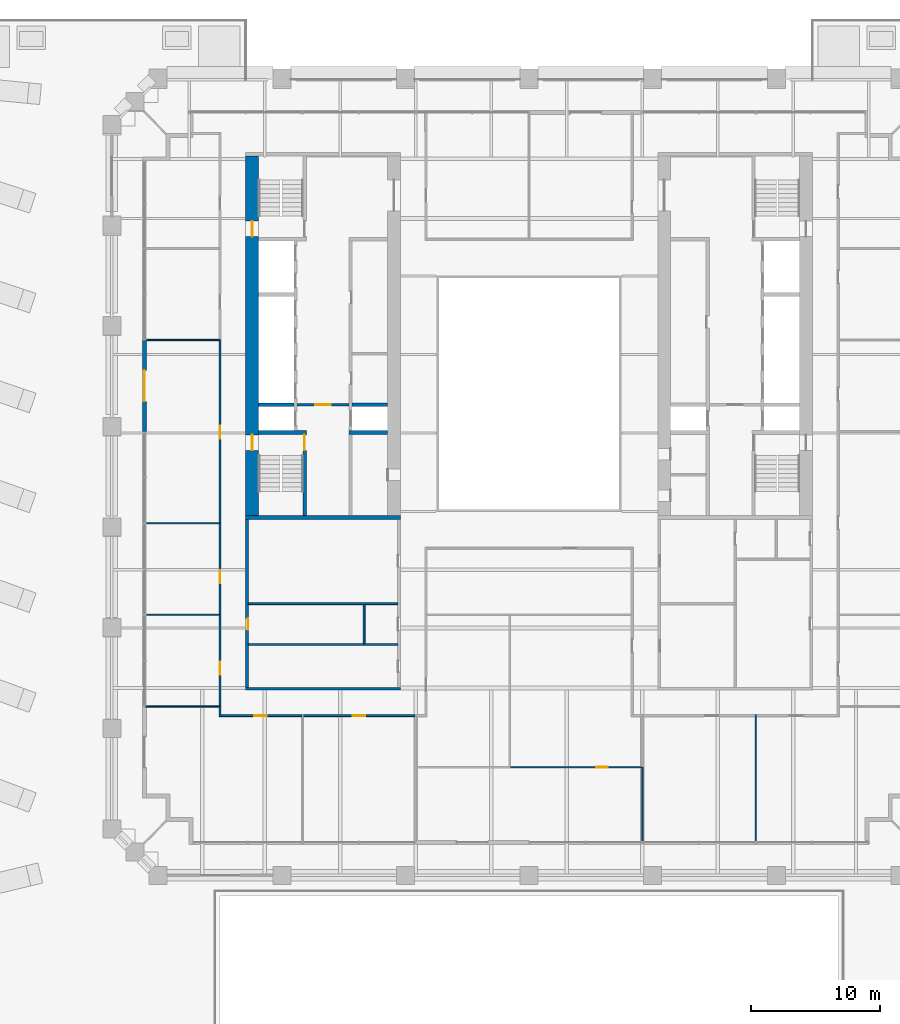
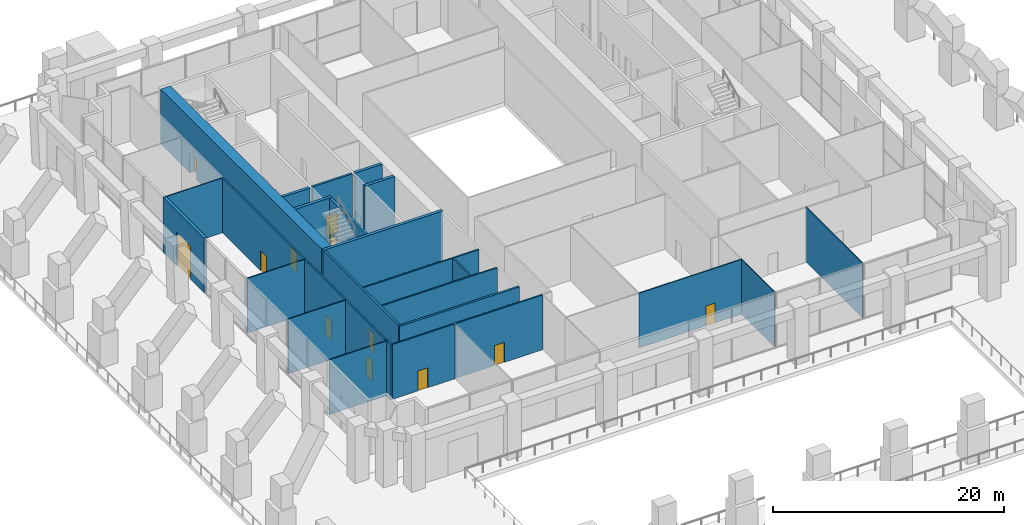
# One storey, part 12 of 20: 27 walls, 12 doors, 12 openings.
"""IFC4 building model written with IfcOpenShell, lengths in metres."""

from ifc_helpers import new_model, si_unit, direction, frame, frame_2d, origin, place, context, subcontext, project, spatial, rectangle, extrude, material, layer, layer_set, type_object, element, fill, save


model = new_model("IFC4")

# Units and contexts
model_context = context("Model", 3, precision=1e-05, world=origin(), true_north=direction((0.0, 1.0)))
body_context = subcontext(model_context, "Body", "Model", "MODEL_VIEW")
ifc_project = project(units=[si_unit("LENGTHUNIT", "METRE"), si_unit("AREAUNIT", "SQUARE_METRE"), si_unit("VOLUMEUNIT", "CUBIC_METRE"), si_unit("PLANEANGLEUNIT", "RADIAN"), si_unit("MASSUNIT", "GRAM", prefix="KILO")], contexts=[model_context])

# Site, building, storey
site_placement = place(None, origin())
site = spatial("IfcSite", under=ifc_project, at=site_placement, CompositionType="ELEMENT")
building_placement = place(site_placement, origin())
building = spatial("IfcBuilding", under=site, at=building_placement, Name="Ogive Exchange Tower", CompositionType="ELEMENT")
storey_placement = place(building_placement, frame((0.0, 0.0, 33.60009765625)))
storey = spatial("IfcBuildingStorey", under=building, at=storey_placement, Name="L06", CompositionType="ELEMENT", Elevation=33.60009765625)

# Walls
ifc_material_1 = material(Name="Gypsum board partition")
ifc_layer_1 = layer(ifc_material_1, 0.14990234375)
ifc_layer_set_1 = layer_set([ifc_layer_1], Name="Core room partition 150 gypsum")
wall_type_1 = type_object("IfcWallType", Name="Core room partition 150 gypsum", PredefinedType="PARTITIONING", material=ifc_layer_set_1)
for number, where, z_axis, x_axis, name in (
    (1, (-21.800048828125, -9.300048828125, 0.0), (0.0, 0.0, 1.0), (1.0, 0.0, 0.0), "W annex S cross wall"),
    (2, (-21.800048828125, -12.47509765625, 0.0), (0.0, 0.0, 1.0), (1.0, 0.0, 0.0), "W annex S wc strip wall 00"),
):
    element("IfcWall", number, at=place(storey_placement, frame(where, z_axis=z_axis, x_axis=x_axis)), inside=storey, type_object=wall_type_1, Name=name, PredefinedType="PARTITIONING", context=body_context, shape_type="SweptSolid", body=[
        extrude(rectangle(XDim=11.60009765625, YDim=0.14990234375, at=frame_2d((5.800048828125, 0.0))), origin(), (0.0, 0.0, 1.0), 5.7998046875),
    ])
wall_1_placement = place(storey_placement, frame((-12.800048828125, -12.39990234375, 0.0), z_axis=(0.0, 0.0, 1.0), x_axis=(0.0, 1.0, 0.0)))
element("IfcWall", 3, at=wall_1_placement, inside=storey, type_object=wall_type_1, Name="W annex S wc partition 00", PredefinedType="PARTITIONING", context=body_context, shape_type="SweptSolid", body=[
    extrude(rectangle(XDim=3.02490234375, YDim=0.14990234375, at=frame_2d((1.512451171875, 0.0))), origin(), (0.0, 0.0, 1.0), 5.7998046875),
])
ifc_material_2 = material(Name="Fire partition EI 60 150")
ifc_layer_2 = layer(ifc_material_2, 0.14990234375)
ifc_layer_set_2 = layer_set([ifc_layer_2], Name="Fire partition EI 60 150")
wall_type_2 = type_object("IfcWallType", Name="Fire partition EI 60 150", PredefinedType="PARTITIONING", material=ifc_layer_set_2)
wall_2_placement = place(storey_placement, frame((-24.0, -18.074951171875, 0.0), z_axis=(0.0, 0.0, 1.0), x_axis=(0.0, 1.0, 0.0)))
element("IfcWall", 4, at=wall_2_placement, inside=storey, type_object=wall_type_2, Name="L06-PWL-001", PredefinedType="PARTITIONING", context=body_context, shape_type="SweptSolid", body=[
    extrude(rectangle(XDim=0.784912109375, YDim=0.14990234375, at=frame_2d((0.392578125, 0.0))), origin(), (0.0, 0.0, 1.0), 5.7998046875),
])

# Wall, opening, door
wall_3_placement = place(storey_placement, frame((-24.0, -17.2900390625, 0.0), z_axis=(0.0, 0.0, 1.0), x_axis=(0.0, 1.0, 0.0)))
wall_3 = element("IfcWall", 5, at=wall_3_placement, inside=storey, type_object=wall_type_2, Name="L06-PWL-003", PredefinedType="PARTITIONING", context=body_context, shape_type="SweptSolid", body=[
    extrude(rectangle(XDim=7.169921875, YDim=0.14990234375, at=frame_2d((3.5849609375, 0.0))), origin(), (0.0, 0.0, 1.0), 5.7998046875),
])
opening_1_placement = place(wall_3_placement, frame((2.469970703125, 0.0, 0.0)))
opening_1 = element("IfcOpeningElement", 6, at=opening_1_placement, cuts=wall_3, Name="Opening L06-I18", PredefinedType="OPENING", context=body_context, shape_type="SweptSolid", body=[
    extrude(rectangle(XDim=1.0, YDim=2.10009765625, at=frame_2d((0.5, 1.050048828125))), frame((0.0, 0.0849609375, 0.0), z_axis=(0.0, -1.0, 0.0), x_axis=(1.0, 0.0, 0.0)), (0.0, 0.0, 1.0), 0.169921875),
])
ifc_material_3 = material(Name="Fire door FD 30S 1000 x 2100")
door_type_1 = type_object("IfcDoorType", Name="Fire door FD 30S 1000 x 2100", OperationType="NOTDEFINED", PredefinedType="DOOR", material=ifc_material_3)
door_1_placement = place(opening_1_placement, origin())
door_1 = element("IfcDoor", 7, at=door_1_placement, inside=storey, type_object=door_type_1, Name="L06-IDR-018", ObjectType="DT3", OperationType="SINGLE_SWING_RIGHT", OverallHeight=2.10009765625, OverallWidth=1.0, PredefinedType="DOOR", context=body_context, shape_type="SweptSolid", body=[
    extrude(rectangle(XDim=1.0, YDim=2.10009765625, at=frame_2d((0.5, 1.050048828125))), frame((0.0, 0.02490234375, 0.0), z_axis=(0.0, -1.0, 0.0), x_axis=(1.0, 0.0, 0.0)), (0.0, 0.0, 1.0), 0.050048828125),
])
fill(opening_1, door_1)

wall_4_placement = place(storey_placement, frame((-24.0, -10.1201171875, 0.0), z_axis=(0.0, 0.0, 1.0), x_axis=(0.0, 1.0, 0.0)))
wall_4 = element("IfcWall", 8, at=wall_4_placement, inside=storey, type_object=wall_type_2, Name="L06-PWL-005", PredefinedType="PARTITIONING", context=body_context, shape_type="SweptSolid", body=[
    extrude(rectangle(XDim=7.06005859375, YDim=0.14990234375, at=frame_2d((3.530029296875, 0.0))), origin(), (0.0, 0.0, 1.0), 5.7998046875),
])
opening_2_placement = place(wall_4_placement, frame((2.409912109375, 0.0, 0.0)))
opening_2 = element("IfcOpeningElement", 9, at=opening_2_placement, cuts=wall_4, Name="Opening L06-I13", PredefinedType="OPENING", context=body_context, shape_type="SweptSolid", body=[
    extrude(rectangle(XDim=1.0, YDim=2.10009765625, at=frame_2d((0.5, 1.050048828125))), frame((0.0, 0.0849609375, 0.0), z_axis=(0.0, -1.0, 0.0), x_axis=(1.0, 0.0, 0.0)), (0.0, 0.0, 1.0), 0.169921875),
])
door_2_placement = place(opening_2_placement, origin())
door_2 = element("IfcDoor", 10, at=door_2_placement, inside=storey, type_object=door_type_1, Name="L06-IDR-013", ObjectType="DT3", OperationType="SINGLE_SWING_RIGHT", OverallHeight=2.10009765625, OverallWidth=1.0, PredefinedType="DOOR", context=body_context, shape_type="SweptSolid", body=[
    extrude(rectangle(XDim=1.0, YDim=2.10009765625, at=frame_2d((0.5, 1.050048828125))), frame((0.0, 0.02490234375, 0.0), z_axis=(0.0, -1.0, 0.0), x_axis=(1.0, 0.0, 0.0)), (0.0, 0.0, 1.0), 0.050048828125),
])
fill(opening_2, door_2)

wall_5_placement = place(storey_placement, frame((-24.0, -3.06005859375, 0.0), z_axis=(0.0, 0.0, 1.0), x_axis=(0.0, 1.0, 0.0)))
wall_5 = element("IfcWall", 11, at=wall_5_placement, inside=storey, type_object=wall_type_2, Name="L06-PWL-007", PredefinedType="PARTITIONING", context=body_context, shape_type="SweptSolid", body=[
    extrude(rectangle(XDim=14.280029296875, YDim=0.14990234375, at=frame_2d((7.14013671875, 0.0))), origin(), (0.0, 0.0, 1.0), 5.7998046875),
])
opening_3_placement = place(wall_5_placement, frame((6.580078125, 0.0, 0.0)))
opening_3 = element("IfcOpeningElement", 12, at=opening_3_placement, cuts=wall_5, Name="Opening L06-I11", PredefinedType="OPENING", context=body_context, shape_type="SweptSolid", body=[
    extrude(rectangle(XDim=1.0, YDim=2.10009765625, at=frame_2d((0.5, 1.050048828125))), frame((0.0, 0.0849609375, 0.0), z_axis=(0.0, -1.0, 0.0), x_axis=(1.0, 0.0, 0.0)), (0.0, 0.0, 1.0), 0.169921875),
])
door_3_placement = place(opening_3_placement, origin())
door_3 = element("IfcDoor", 13, at=door_3_placement, inside=storey, type_object=door_type_1, Name="L06-IDR-011", ObjectType="DT3", OperationType="SINGLE_SWING_RIGHT", OverallHeight=2.10009765625, OverallWidth=1.0, PredefinedType="DOOR", context=body_context, shape_type="SweptSolid", body=[
    extrude(rectangle(XDim=1.0, YDim=2.10009765625, at=frame_2d((0.5, 1.050048828125))), frame((0.0, 0.02490234375, 0.0), z_axis=(0.0, -1.0, 0.0), x_axis=(1.0, 0.0, 0.0)), (0.0, 0.0, 1.0), 0.050048828125),
])
fill(opening_3, door_3)

wall_6_placement = place(storey_placement, frame((-17.64990234375, -18.0, 0.0), z_axis=(0.0, 0.0, 1.0), x_axis=(-1.0, 0.0, 0.0)))
wall_6 = element("IfcWall", 14, at=wall_6_placement, inside=storey, type_object=wall_type_2, Name="L06-PWL-014", PredefinedType="PARTITIONING", context=body_context, shape_type="SweptSolid", body=[
    extrude(rectangle(XDim=6.275146484375, YDim=0.14990234375, at=frame_2d((3.1376953125, 0.0))), origin(), (0.0, 0.0, 1.0), 5.7998046875),
])
opening_4_placement = place(wall_6_placement, frame((2.699951171875, 0.0, 0.0)))
opening_4 = element("IfcOpeningElement", 15, at=opening_4_placement, cuts=wall_6, Name="Opening L06-I20", PredefinedType="OPENING", context=body_context, shape_type="SweptSolid", body=[
    extrude(rectangle(XDim=1.0, YDim=2.10009765625, at=frame_2d((0.5, 1.050048828125))), frame((0.0, 0.0849609375, 0.0), z_axis=(0.0, -1.0, 0.0), x_axis=(1.0, 0.0, 0.0)), (0.0, 0.0, 1.0), 0.169921875),
])
door_4_placement = place(opening_4_placement, origin())
door_4 = element("IfcDoor", 16, at=door_4_placement, inside=storey, type_object=door_type_1, Name="L06-IDR-020", ObjectType="DT3", OperationType="SINGLE_SWING_RIGHT", OverallHeight=2.10009765625, OverallWidth=1.0, PredefinedType="DOOR", context=body_context, shape_type="SweptSolid", body=[
    extrude(rectangle(XDim=1.0, YDim=2.10009765625, at=frame_2d((0.5, 1.050048828125))), frame((0.0, 0.02490234375, 0.0), z_axis=(0.0, -1.0, 0.0), x_axis=(1.0, 0.0, 0.0)), (0.0, 0.0, 1.0), 0.050048828125),
])
fill(opening_4, door_4)

wall_7_placement = place(storey_placement, frame((-8.85009765625, -18.0, 0.0), z_axis=(0.0, 0.0, 1.0), x_axis=(-1.0, 0.0, 0.0)))
wall_7 = element("IfcWall", 17, at=wall_7_placement, inside=storey, type_object=wall_type_2, Name="L06-PWL-018", PredefinedType="PARTITIONING", context=body_context, shape_type="SweptSolid", body=[
    extrude(rectangle(XDim=8.699951171875, YDim=0.14990234375, at=frame_2d((4.35009765625, 0.0))), origin(), (0.0, 0.0, 1.0), 5.7998046875),
])
opening_5_placement = place(wall_7_placement, frame((3.85009765625, 0.0, 0.0)))
opening_5 = element("IfcOpeningElement", 18, at=opening_5_placement, cuts=wall_7, Name="Opening L06-I19", PredefinedType="OPENING", context=body_context, shape_type="SweptSolid", body=[
    extrude(rectangle(XDim=1.0, YDim=2.10009765625, at=frame_2d((0.5, 1.050048828125))), frame((0.0, 0.0849609375, 0.0), z_axis=(0.0, -1.0, 0.0), x_axis=(1.0, 0.0, 0.0)), (0.0, 0.0, 1.0), 0.169921875),
])
door_5_placement = place(opening_5_placement, origin())
door_5 = element("IfcDoor", 19, at=door_5_placement, inside=storey, type_object=door_type_1, Name="L06-IDR-019", ObjectType="DT3", OperationType="SINGLE_SWING_RIGHT", OverallHeight=2.10009765625, OverallWidth=1.0, PredefinedType="DOOR", context=body_context, shape_type="SweptSolid", body=[
    extrude(rectangle(XDim=1.0, YDim=2.10009765625, at=frame_2d((0.5, 1.050048828125))), frame((0.0, 0.02490234375, 0.0), z_axis=(0.0, -1.0, 0.0), x_axis=(1.0, 0.0, 0.0)), (0.0, 0.0, 1.0), 0.050048828125),
])
fill(opening_5, door_5)

ifc_material_4 = material(Name="Precast concrete C40/50", Category="concrete")
ifc_layer_3 = layer(ifc_material_4, 0.300048828125)
ifc_layer_set_3 = layer_set([ifc_layer_3], Name="Limestone-faced wall 300")
wall_type_3 = type_object("IfcWallType", Name="Limestone-faced wall 300", PredefinedType="STANDARD", material=ifc_layer_set_3)
wall_8_placement = place(storey_placement, frame((-29.85009765625, 11.17138671875, 0.0), z_axis=(0.0, 0.0, 1.0), x_axis=(0.0, -1.0, 0.0)))
wall_8 = element("IfcWall", 20, at=wall_8_placement, inside=storey, type_object=wall_type_3, Name="External wall W5", PredefinedType="STANDARD", context=body_context, shape_type="SweptSolid", body=[
    extrude(rectangle(XDim=7.1142578125, YDim=0.300048828125, at=frame_2d((3.55712890625, 0.0))), origin(), (0.0, 0.0, 1.0), 5.7998046875),
])
opening_6_placement = place(wall_8_placement, frame((2.357177734375, 0.0, 0.0)))
opening_6 = element("IfcOpeningElement", 21, at=opening_6_placement, cuts=wall_8, Name="Opening D1", PredefinedType="OPENING", context=body_context, shape_type="SweptSolid", body=[
    extrude(rectangle(XDim=2.39990234375, YDim=3.5, at=frame_2d((1.199951171875, 1.75))), frame((0.0, 0.159912109375, 0.0), z_axis=(0.0, -1.0, 0.0), x_axis=(1.0, 0.0, 0.0)), (0.0, 0.0, 1.0), 0.320068359375),
])
ifc_material_5 = material(Name="Clear glass in bronze frame", Category="glass")
door_type_2 = type_object("IfcDoorType", Name="Sliding loggia door 2400 x 3500", OperationType="DOUBLE_DOOR_SLIDING", PredefinedType="DOOR", material=ifc_material_5)
door_6_placement = place(opening_6_placement, origin())
door_6 = element("IfcDoor", 22, at=door_6_placement, inside=storey, type_object=door_type_2, Name="Loggia door W02", OperationType="DOUBLE_DOOR_SLIDING", OverallHeight=3.5, OverallWidth=2.39990234375, PredefinedType="DOOR", context=body_context, shape_type="SweptSolid", body=[
    extrude(rectangle(XDim=2.39990234375, YDim=3.5, at=frame_2d((1.199951171875, 1.75))), frame((0.0, 0.02490234375, 0.0), z_axis=(0.0, -1.0, 0.0), x_axis=(1.0, 0.0, 0.0)), (0.0, 0.0, 1.0), 0.050048828125),
])
fill(opening_6, door_6)

# Walls
ifc_material_6 = material(Name="Partition 100 gypsum")
ifc_layer_4 = layer(ifc_material_6, 0.10009765625)
ifc_layer_set_4 = layer_set([ifc_layer_4], Name="Partition 100 gypsum")
wall_type_4 = type_object("IfcWallType", Name="Partition 100 gypsum", PredefinedType="PARTITIONING", material=ifc_layer_set_4)
for number, where, z_axis, x_axis, name in (
    (23, (-24.074951171875, -17.2900390625, 0.0), (0.0, 0.0, 1.0), (-1.0, 0.0, 0.0), "L06-PWL-002"),
    (24, (-24.074951171875, -10.169921875, 0.0), (0.0, 0.0, 1.0), (-1.0, 0.0, 0.0), "L06-PWL-004"),
    (25, (-24.074951171875, -3.06005859375, 0.0), (0.0, 0.0, 1.0), (-1.0, 0.0, 0.0), "L06-PWL-006"),
    (26, (-24.074951171875, 11.169921875, 0.0), (0.0, 0.0, 1.0), (-1.0, 0.0, 0.0), "L06-PWL-008"),
):
    element("IfcWall", number, at=place(storey_placement, frame(where, z_axis=z_axis, x_axis=x_axis)), inside=storey, type_object=wall_type_4, Name=name, PredefinedType="PARTITIONING", context=body_context, shape_type="SweptSolid", body=[
        extrude(rectangle(XDim=5.72509765625, YDim=0.10009765625, at=frame_2d((2.862548828125, 0.0))), origin(), (0.0, 0.0, 1.0), 5.7998046875),
    ])

# Wall, opening, door
wall_9_placement = place(storey_placement, frame((-1.5, -22.0, 0.0), z_axis=(0.0, 0.0, 1.0), x_axis=(1.0, 0.0, 0.0)))
wall_9 = element("IfcWall", 27, at=wall_9_placement, inside=storey, type_object=wall_type_4, Name="L06-PWL-026", PredefinedType="PARTITIONING", context=body_context, shape_type="SweptSolid", body=[
    extrude(rectangle(XDim=10.35009765625, YDim=0.10009765625, at=frame_2d((5.175048828125, 0.0))), origin(), (0.0, 0.0, 1.0), 5.7998046875),
])
opening_7_placement = place(wall_9_placement, frame((6.699951171875, 0.0, 0.0)))
opening_7 = element("IfcOpeningElement", 28, at=opening_7_placement, cuts=wall_9, Name="Opening L06-I15", PredefinedType="OPENING", context=body_context, shape_type="SweptSolid", body=[
    extrude(rectangle(XDim=0.89990234375, YDim=2.10009765625, at=frame_2d((0.449951171875, 1.050048828125))), frame((0.0, 0.06005859375, 0.0), z_axis=(0.0, -1.0, 0.0), x_axis=(1.0, 0.0, 0.0)), (0.0, 0.0, 1.0), 0.1201171875),
])
ifc_material_7 = material(Name="Door 900 x 2100")
door_type_3 = type_object("IfcDoorType", Name="Door 900 x 2100", OperationType="NOTDEFINED", PredefinedType="DOOR", material=ifc_material_7)
door_7_placement = place(opening_7_placement, frame((0.89990234375, 0.0, 0.0), z_axis=(0.0, 0.0, 1.0), x_axis=(-1.0, 0.0, 0.0)))
door_7 = element("IfcDoor", 29, at=door_7_placement, inside=storey, type_object=door_type_3, Name="L06-IDR-015", ObjectType="DT1", OperationType="SINGLE_SWING_RIGHT", OverallHeight=2.10009765625, OverallWidth=0.89990234375, PredefinedType="DOOR", context=body_context, shape_type="SweptSolid", body=[
    extrude(rectangle(XDim=0.89990234375, YDim=2.10009765625, at=frame_2d((0.449951171875, 1.050048828125))), frame((0.0, 0.02490234375, 0.0), z_axis=(0.0, -1.0, 0.0), x_axis=(1.0, 0.0, 0.0)), (0.0, 0.0, 1.0), 0.050048828125),
])
fill(opening_7, door_7)

# Walls
wall_10_placement = place(storey_placement, frame((8.800048828125, -27.800048828125, 0.0), z_axis=(0.0, 0.0, 1.0), x_axis=(0.0, 1.0, 0.0)))
element("IfcWall", 30, at=wall_10_placement, inside=storey, type_object=wall_type_4, Name="L06-PWL-036", PredefinedType="PARTITIONING", context=body_context, shape_type="SweptSolid", body=[
    extrude(rectangle(XDim=5.75, YDim=0.10009765625, at=frame_2d((2.875, 0.0))), origin(), (0.0, 0.0, 1.0), 5.7998046875),
])
wall_11_placement = place(storey_placement, frame((17.60009765625, -27.800048828125, 0.0), z_axis=(0.0, 0.0, 1.0), x_axis=(0.0, 1.0, 0.0)))
element("IfcWall", 31, at=wall_11_placement, inside=storey, type_object=wall_type_4, Name="L06-PWL-039", PredefinedType="PARTITIONING", context=body_context, shape_type="SweptSolid", body=[
    extrude(rectangle(XDim=9.875, YDim=0.10009765625, at=frame_2d((4.9375, 0.0))), origin(), (0.0, 0.0, 1.0), 5.7998046875),
])

# Wall, openings, doors
ifc_material_8 = material(Name="Concrete C70/85", Category="concrete")
ifc_layer_5 = layer(ifc_material_8, 1.0)
ifc_layer_set_5 = layer_set([ifc_layer_5], Name="RC core wall 1000 C70/85")
wall_type_5 = type_object("IfcWallType", Name="RC core wall 1000 C70/85", PredefinedType="SHEAR", material=ifc_layer_set_5)
wall_12_placement = place(storey_placement, frame((-21.5, -2.449951171875, 0.0), z_axis=(0.0, 0.0, 1.0), x_axis=(0.0, 1.0, 0.0)))
wall_12 = element("IfcWall", 32, at=wall_12_placement, inside=storey, type_object=wall_type_5, Name="W outer wall", PredefinedType="SHEAR", context=body_context, shape_type="SweptSolid", body=[
    extrude(rectangle(XDim=27.89990234375, YDim=1.0, at=frame_2d((13.949951171875, 0.0))), origin(), (0.0, 0.0, 1.0), 5.7998046875),
])
opening_8_placement = place(wall_12_placement, frame((5.050048828125, 0.0, 0.0)))
opening_8 = element("IfcOpeningElement", 33, at=opening_8_placement, cuts=wall_12, Name="Opening L06-C14", PredefinedType="OPENING", context=body_context, shape_type="SweptSolid", body=[
    extrude(rectangle(XDim=1.199951171875, YDim=2.10009765625, at=frame_2d((0.60009765625, 1.050048828125))), frame((0.0, 0.510009765625, 0.0), z_axis=(0.0, -1.0, 0.0), x_axis=(1.0, 0.0, 0.0)), (0.0, 0.0, 1.0), 1.02001953125),
])
opening_9_placement = place(wall_12_placement, frame((21.64990234375, 0.0, 0.0)))
opening_9 = element("IfcOpeningElement", 34, at=opening_9_placement, cuts=wall_12, Name="Opening L06-C16", PredefinedType="OPENING", context=body_context, shape_type="SweptSolid", body=[
    extrude(rectangle(XDim=1.199951171875, YDim=2.10009765625, at=frame_2d((0.60009765625, 1.050048828125))), frame((0.0, 0.510009765625, 0.0), z_axis=(0.0, -1.0, 0.0), x_axis=(1.0, 0.0, 0.0)), (0.0, 0.0, 1.0), 1.02001953125),
])
ifc_material_9 = material(Name="Steel fire door", Category="steel")
door_type_4 = type_object("IfcDoorType", Name="Stair door FD90 1200 x 2100", OperationType="NOTDEFINED", PredefinedType="DOOR", material=ifc_material_9)
door_8_placement = place(opening_8_placement, frame((1.199951171875, 0.0, 0.0), z_axis=(0.0, 0.0, 1.0), x_axis=(-1.0, 0.0, 0.0)))
door_8 = element("IfcDoor", 35, at=door_8_placement, inside=storey, type_object=door_type_4, Name="Stair door", ObjectType="CD5", OperationType="SINGLE_SWING_RIGHT", OverallHeight=2.10009765625, OverallWidth=1.199951171875, PredefinedType="DOOR", context=body_context, shape_type="SweptSolid", body=[
    extrude(rectangle(XDim=1.199951171875, YDim=2.10009765625, at=frame_2d((0.60009765625, 1.050048828125))), frame((0.0, 0.02490234375, 0.0), z_axis=(0.0, -1.0, 0.0), x_axis=(1.0, 0.0, 0.0)), (0.0, 0.0, 1.0), 0.050048828125),
])
fill(opening_8, door_8)
door_9_placement = place(opening_9_placement, frame((1.199951171875, 0.0, 0.0), z_axis=(0.0, 0.0, 1.0), x_axis=(-1.0, 0.0, 0.0)))
door_9 = element("IfcDoor", 36, at=door_9_placement, inside=storey, type_object=door_type_4, Name="Stair door", ObjectType="CD5", OperationType="SINGLE_SWING_LEFT", OverallHeight=2.10009765625, OverallWidth=1.199951171875, PredefinedType="DOOR", context=body_context, shape_type="SweptSolid", body=[
    extrude(rectangle(XDim=1.199951171875, YDim=2.10009765625, at=frame_2d((0.60009765625, 1.050048828125))), frame((0.0, 0.02490234375, 0.0), z_axis=(0.0, -1.0, 0.0), x_axis=(1.0, 0.0, 0.0)), (0.0, 0.0, 1.0), 0.050048828125),
])
fill(opening_9, door_9)

# Wall, opening, door
ifc_layer_6 = layer(ifc_material_8, 0.199951171875)
ifc_layer_set_6 = layer_set([ifc_layer_6], Name="RC core wall 200 C70/85")
wall_type_6 = type_object("IfcWallType", Name="RC core wall 200 C70/85", PredefinedType="SHEAR", material=ifc_layer_set_6)
wall_13_placement = place(storey_placement, frame((-18.0, 6.142822265625, 0.0), z_axis=(0.0, 0.0, 1.0), x_axis=(1.0, 0.0, 0.0)))
wall_13 = element("IfcWall", 37, at=wall_13_placement, inside=storey, type_object=wall_type_6, Name="W firefighting lobby wall", PredefinedType="SHEAR", context=body_context, shape_type="SweptSolid", body=[
    extrude(rectangle(XDim=4.0, YDim=0.199951171875, at=frame_2d((2.0, 0.0))), origin(), (0.0, 0.0, 1.0), 5.7998046875),
])
opening_10_placement = place(wall_13_placement, frame((1.39990234375, 0.0, 0.0)))
opening_10 = element("IfcOpeningElement", 38, at=opening_10_placement, cuts=wall_13, Name="Opening L06-C11", PredefinedType="OPENING", context=body_context, shape_type="SweptSolid", body=[
    extrude(rectangle(XDim=1.199951171875, YDim=2.10009765625, at=frame_2d((0.60009765625, 1.050048828125))), frame((0.0, 0.10986328125, 0.0), z_axis=(0.0, -1.0, 0.0), x_axis=(1.0, 0.0, 0.0)), (0.0, 0.0, 1.0), 0.219970703125),
])
door_type_5 = type_object("IfcDoorType", Name="Firefighting lobby door FD60 1200 x 2100", OperationType="NOTDEFINED", PredefinedType="DOOR", material=ifc_material_9)
door_10_placement = place(opening_10_placement, frame((1.199951171875, 0.0, 0.0), z_axis=(0.0, 0.0, 1.0), x_axis=(-1.0, 0.0, 0.0)))
door_10 = element("IfcDoor", 39, at=door_10_placement, inside=storey, type_object=door_type_5, Name="Firefighting lobby door", ObjectType="CD3", OperationType="SINGLE_SWING_LEFT", OverallHeight=2.10009765625, OverallWidth=1.199951171875, PredefinedType="DOOR", context=body_context, shape_type="SweptSolid", body=[
    extrude(rectangle(XDim=1.199951171875, YDim=2.10009765625, at=frame_2d((0.60009765625, 1.050048828125))), frame((0.0, 0.02490234375, 0.0), z_axis=(0.0, -1.0, 0.0), x_axis=(1.0, 0.0, 0.0)), (0.0, 0.0, 1.0), 0.050048828125),
])
fill(opening_10, door_10)

wall_14_placement = place(storey_placement, frame((-21.89990234375, -15.800048828125, 0.0), z_axis=(0.0, 0.0, 1.0), x_axis=(0.0, 1.0, 0.0)))
wall_14 = element("IfcWall", 40, at=wall_14_placement, inside=storey, type_object=wall_type_6, Name="W annex S outer wall", PredefinedType="SHEAR", context=body_context, shape_type="SweptSolid", body=[
    extrude(rectangle(XDim=13.050048828125, YDim=0.199951171875, at=frame_2d((6.52490234375, 0.0))), origin(), (0.0, 0.0, 1.0), 5.7998046875),
])
opening_11_placement = place(wall_14_placement, frame((4.46240234375, 0.0, 0.0)))
opening_11 = element("IfcOpeningElement", 41, at=opening_11_placement, cuts=wall_14, Name="Opening L06-C20", PredefinedType="OPENING", context=body_context, shape_type="SweptSolid", body=[
    extrude(rectangle(XDim=0.89990234375, YDim=2.10009765625, at=frame_2d((0.449951171875, 1.050048828125))), frame((0.0, 0.10986328125, 0.0), z_axis=(0.0, -1.0, 0.0), x_axis=(1.0, 0.0, 0.0)), (0.0, 0.0, 1.0), 0.219970703125),
])
door_type_6 = type_object("IfcDoorType", Name="Riser door FD60 900 x 2100", OperationType="NOTDEFINED", PredefinedType="DOOR", material=ifc_material_9)
door_11_placement = place(opening_11_placement, frame((0.89990234375, -0.14990234375, 0.0), z_axis=(0.0, 0.0, 1.0), x_axis=(-1.0, 0.0, 0.0)))
door_11 = element("IfcDoor", 42, at=door_11_placement, inside=storey, type_object=door_type_6, Name="Riser door", ObjectType="CD2", OperationType="SINGLE_SWING_RIGHT", OverallHeight=2.10009765625, OverallWidth=0.89990234375, PredefinedType="DOOR", context=body_context, shape_type="SweptSolid", body=[
    extrude(rectangle(XDim=0.89990234375, YDim=2.10009765625, at=frame_2d((0.449951171875, 1.050048828125))), frame((0.0, -0.0498046875, 0.0), z_axis=(0.0, -1.0, 0.0), x_axis=(1.0, 0.0, 0.0)), (0.0, 0.0, 1.0), 0.050048828125),
])
fill(opening_11, door_11)

# Wall
wall_15_placement = place(storey_placement, frame((-22.0, -15.89990234375, 0.0), z_axis=(0.0, 0.0, 1.0), x_axis=(1.0, 0.0, 0.0)))
element("IfcWall", 43, at=wall_15_placement, inside=storey, type_object=wall_type_6, Name="W annex S end wall", PredefinedType="SHEAR", context=body_context, shape_type="SweptSolid", body=[
    extrude(rectangle(XDim=12.0, YDim=0.199951171875, at=frame_2d((6.0, 0.0))), origin(), (0.0, 0.0, 1.0), 5.7998046875),
])

# Wall, opening, door
ifc_layer_7 = layer(ifc_material_8, 0.25)
ifc_layer_set_7 = layer_set([ifc_layer_7], Name="RC core wall 250 C70/85")
wall_type_7 = type_object("IfcWallType", Name="RC core wall 250 C70/85", PredefinedType="SHEAR", material=ifc_layer_set_7)
wall_16_placement = place(storey_placement, frame((-17.425048828125, -2.449951171875, 0.0), z_axis=(0.0, 0.0, 1.0), x_axis=(0.0, 1.0, 0.0)))
wall_16 = element("IfcWall", 44, at=wall_16_placement, inside=storey, type_object=wall_type_7, Name="W stair S front wall", PredefinedType="SHEAR", context=body_context, shape_type="SweptSolid", body=[
    extrude(rectangle(XDim=6.300048828125, YDim=0.25, at=frame_2d((3.14990234375, 0.0))), origin(), (0.0, 0.0, 1.0), 5.7998046875),
])
opening_12_placement = place(wall_16_placement, frame((5.050048828125, 0.0, 0.0)))
opening_12 = element("IfcOpeningElement", 45, at=opening_12_placement, cuts=wall_16, Name="Opening L06-C13", PredefinedType="OPENING", context=body_context, shape_type="SweptSolid", body=[
    extrude(rectangle(XDim=1.199951171875, YDim=2.10009765625, at=frame_2d((0.60009765625, 1.050048828125))), frame((0.0, 0.135009765625, 0.0), z_axis=(0.0, -1.0, 0.0), x_axis=(1.0, 0.0, 0.0)), (0.0, 0.0, 1.0), 0.27001953125),
])
door_12_placement = place(opening_12_placement, origin())
door_12 = element("IfcDoor", 46, at=door_12_placement, inside=storey, type_object=door_type_4, Name="Stair door", ObjectType="CD5", OperationType="SINGLE_SWING_LEFT", OverallHeight=2.10009765625, OverallWidth=1.199951171875, PredefinedType="DOOR", context=body_context, shape_type="SweptSolid", body=[
    extrude(rectangle(XDim=1.199951171875, YDim=2.10009765625, at=frame_2d((0.60009765625, 1.050048828125))), frame((0.0, 0.02490234375, 0.0), z_axis=(0.0, -1.0, 0.0), x_axis=(1.0, 0.0, 0.0)), (0.0, 0.0, 1.0), 0.050048828125),
])
fill(opening_12, door_12)

# Walls
ifc_layer_8 = layer(ifc_material_8, 0.300048828125)
ifc_layer_set_8 = layer_set([ifc_layer_8], Name="RC core wall 300 C70/85")
wall_type_8 = type_object("IfcWallType", Name="RC core wall 300 C70/85", PredefinedType="SHEAR", material=ifc_layer_set_8)
wall_17_placement = place(storey_placement, frame((-22.0, -2.60009765625, 0.0), z_axis=(0.0, 0.0, 1.0), x_axis=(1.0, 0.0, 0.0)))
element("IfcWall", 47, at=wall_17_placement, inside=storey, type_object=wall_type_8, Name="W south end wall", PredefinedType="SHEAR", context=body_context, shape_type="SweptSolid", body=[
    extrude(rectangle(XDim=12.0, YDim=0.300048828125, at=frame_2d((6.0, 0.0))), origin(), (0.0, 0.0, 1.0), 5.7998046875),
])
wall_18_placement = place(storey_placement, frame((-21.0, 4.0, 0.0), z_axis=(0.0, 0.0, 1.0), x_axis=(1.0, 0.0, 0.0)))
element("IfcWall", 48, at=wall_18_placement, inside=storey, type_object=wall_type_8, Name="W stair S north wall", PredefinedType="SHEAR", context=body_context, shape_type="SweptSolid", body=[
    extrude(rectangle(XDim=3.699951171875, YDim=0.300048828125, at=frame_2d((1.85009765625, 0.0))), origin(), (0.0, 0.0, 1.0), 5.7998046875),
])
wall_19_placement = place(storey_placement, frame((-21.0, 6.142822265625, 0.0), z_axis=(0.0, 0.0, 1.0), x_axis=(1.0, 0.0, 0.0)))
element("IfcWall", 49, at=wall_19_placement, inside=storey, type_object=wall_type_8, Name="W row A divider 1", PredefinedType="SHEAR", context=body_context, shape_type="SweptSolid", body=[
    extrude(rectangle(XDim=2.75, YDim=0.300048828125, at=frame_2d((1.375, 0.0))), origin(), (0.0, 0.0, 1.0), 5.7998046875),
])
wall_20_placement = place(storey_placement, frame((-14.0, 4.0, 0.0), z_axis=(0.0, 0.0, 1.0), x_axis=(1.0, 0.0, 0.0)))
element("IfcWall", 50, at=wall_20_placement, inside=storey, type_object=wall_type_8, Name="W row B divider 0", PredefinedType="SHEAR", context=body_context, shape_type="SweptSolid", body=[
    extrude(rectangle(XDim=3.0, YDim=0.300048828125, at=frame_2d((1.5, 0.0))), origin(), (0.0, 0.0, 1.0), 5.7998046875),
])
wall_21_placement = place(storey_placement, frame((-13.75, 6.142822265625, 0.0), z_axis=(0.0, 0.0, 1.0), x_axis=(1.0, 0.0, 0.0)))
element("IfcWall", 51, at=wall_21_placement, inside=storey, type_object=wall_type_8, Name="W row B divider 1", PredefinedType="SHEAR", context=body_context, shape_type="SweptSolid", body=[
    extrude(rectangle(XDim=2.75, YDim=0.300048828125, at=frame_2d((1.375, 0.0))), origin(), (0.0, 0.0, 1.0), 5.7998046875),
])

save(model, "model.ifc")
